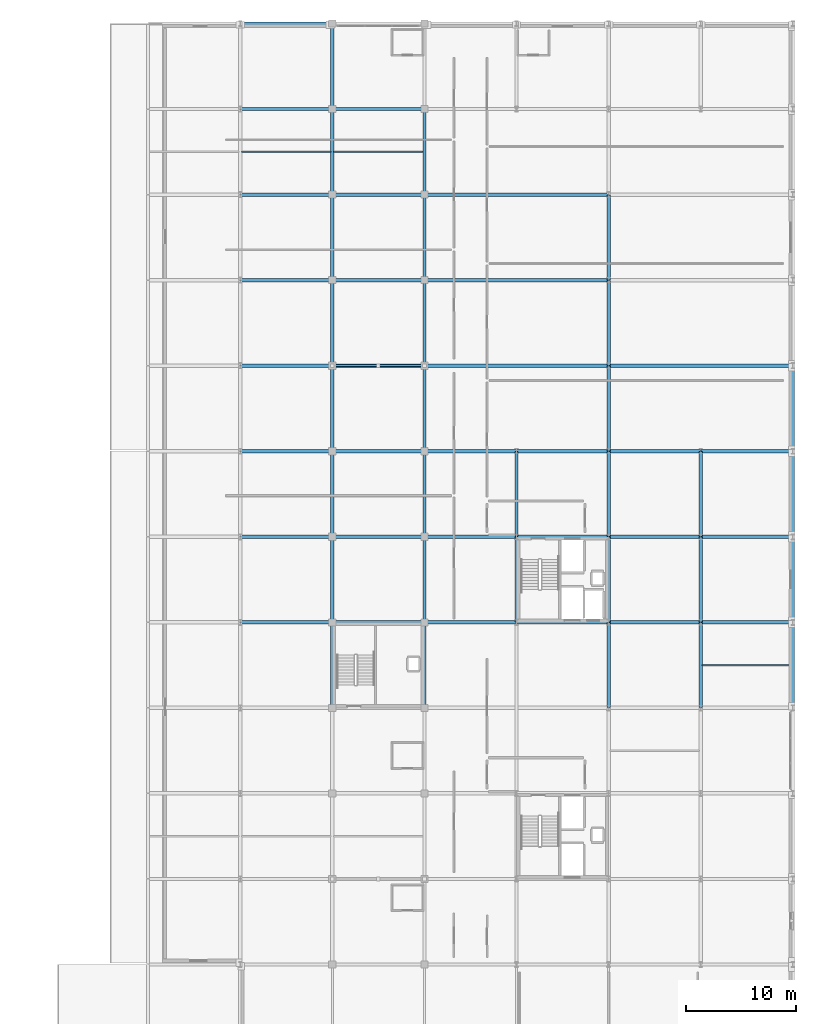
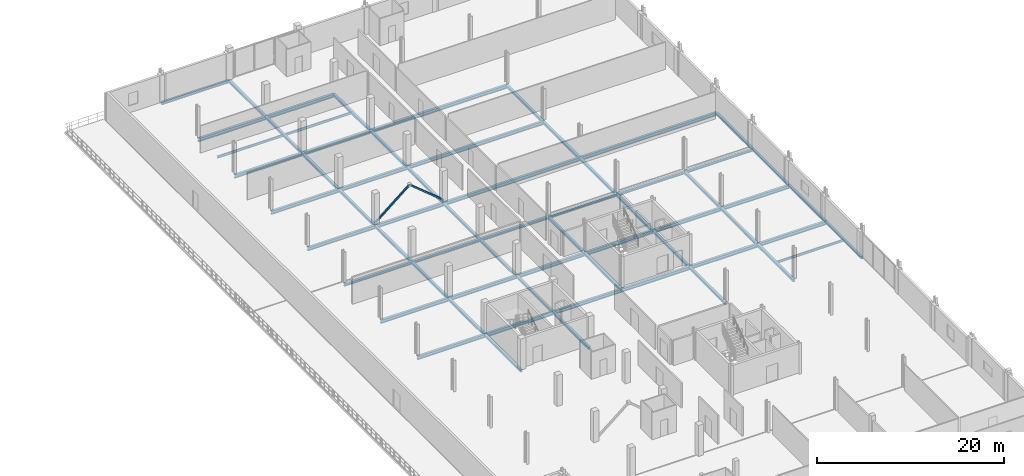
# One storey, part 15 of 41: 64 beams, 2 members.
"""IFC4 building model written with IfcOpenShell, lengths in metres."""

from ifc_helpers import new_model, si_unit, direction, frame, origin, origin_2d, place, context, subcontext, project, spatial, hollow_rectangle, i_section, extrude, material, material_profile, profile_set, type_object, element, save


model = new_model("IFC4")

# Units and contexts
model_context = context("Model", 3, precision=1e-05, world=origin(), true_north=direction((0.0, 1.0)))
body_context = subcontext(model_context, "Body", "Model", "MODEL_VIEW")
ifc_project = project(units=[si_unit("LENGTHUNIT", "METRE"), si_unit("AREAUNIT", "SQUARE_METRE"), si_unit("VOLUMEUNIT", "CUBIC_METRE"), si_unit("PLANEANGLEUNIT", "RADIAN"), si_unit("MASSUNIT", "GRAM", prefix="KILO")], contexts=[model_context])

# Site, building, storey
site_placement = place(None, origin())
site = spatial("IfcSite", under=ifc_project, at=site_placement, CompositionType="ELEMENT")
building_placement = place(site_placement, origin())
building = spatial("IfcBuilding", under=site, at=building_placement, Name="Nabrawat Pavilion Hospital", CompositionType="ELEMENT")
storey_placement = place(building_placement, frame((0.0, 0.0, 18.89990234375)))
storey = spatial("IfcBuildingStorey", under=building, at=storey_placement, Name="L04", CompositionType="ELEMENT", Elevation=18.89990234375)

# Beams
ifc_material = material(Name="Steel S355", Category="steel")
ifc_material_profile_1 = material_profile(ifc_material, i_section(OverallWidth=0.300048828125, OverallDepth=0.43994140625, WebThickness=0.011474609375, FlangeThickness=0.02099609375, FilletRadius=0.027099609375, at=origin_2d()), Name="HEA 450")
ifc_profile_set_1 = profile_set([ifc_material_profile_1], Name="Steel S355")
beam_type_1 = type_object("IfcBeamType", Name="Mid-Tier Ward Girder HEA 450", PredefinedType="USERDEFINED", material=ifc_profile_set_1)
beam_1_placement = place(storey_placement, frame((142.820068359375, 70.199951171875, -0.4599609375), z_axis=(1.0, 0.0, 0.0), x_axis=(0.0, 1.0, 0.0)))
element("IfcBeam", 1, at=beam_1_placement, inside=storey, type_object=beam_type_1, Name="L04 Primary X Girder 1813", ObjectType="GIRDER", PredefinedType="USERDEFINED", context=body_context, shape_type="SweptSolid", body=[
    extrude(i_section(OverallWidth=0.300048828125, OverallDepth=0.43994140625, WebThickness=0.011474609375, FlangeThickness=0.02099609375, FilletRadius=0.027099609375, at=origin_2d()), origin(), (0.0, 0.0, 1.0), 8.35986328125),
])
beam_2_placement = place(storey_placement, frame((151.219970703125, 70.199951171875, -0.4599609375), z_axis=(1.0, 0.0, 0.0), x_axis=(0.0, 1.0, 0.0)))
element("IfcBeam", 2, at=beam_2_placement, inside=storey, type_object=beam_type_1, Name="L04 Primary X Girder 1814", ObjectType="GIRDER", PredefinedType="USERDEFINED", context=body_context, shape_type="SweptSolid", body=[
    extrude(i_section(OverallWidth=0.300048828125, OverallDepth=0.43994140625, WebThickness=0.011474609375, FlangeThickness=0.02099609375, FilletRadius=0.027099609375, at=origin_2d()), origin(), (0.0, 0.0, 1.0), 8.360107421875),
])
for number, where, z_axis, x_axis, name in (
    (3, (159.6201171875, 70.199951171875, -0.4599609375), (1.0, 0.0, 0.0), (0.0, 1.0, 0.0), "L04 Primary X Girder 1815"),
    (4, (168.02001953125, 70.199951171875, -0.4599609375), (1.0, 0.0, 0.0), (0.0, 1.0, 0.0), "L04 Primary X Girder 1816"),
):
    element("IfcBeam", number, at=place(storey_placement, frame(where, z_axis=z_axis, x_axis=x_axis)), inside=storey, type_object=beam_type_1, Name=name, ObjectType="GIRDER", PredefinedType="USERDEFINED", context=body_context, shape_type="SweptSolid", body=[
        extrude(i_section(OverallWidth=0.300048828125, OverallDepth=0.43994140625, WebThickness=0.011474609375, FlangeThickness=0.02099609375, FilletRadius=0.027099609375, at=origin_2d()), origin(), (0.0, 0.0, 1.0), 8.35986328125),
    ])
beam_3_placement = place(storey_placement, frame((176.419921875, 70.199951171875, -0.4599609375), z_axis=(1.0, 0.0, 0.0), x_axis=(0.0, 1.0, 0.0)))
element("IfcBeam", 5, at=beam_3_placement, inside=storey, type_object=beam_type_1, Name="L04 Primary X Girder 1817", ObjectType="GIRDER", PredefinedType="USERDEFINED", context=body_context, shape_type="SweptSolid", body=[
    extrude(i_section(OverallWidth=0.300048828125, OverallDepth=0.43994140625, WebThickness=0.011474609375, FlangeThickness=0.02099609375, FilletRadius=0.027099609375, at=origin_2d()), origin(), (0.0, 0.0, 1.0), 8.360107421875),
])
for number, where, z_axis, x_axis, name in (
    (6, (184.820068359375, 70.199951171875, -0.4599609375), (1.0, 0.0, 0.0), (0.0, 1.0, 0.0), "L04 Primary X Girder 1818"),
    (7, (142.820068359375, 78.0, -0.4599609375), (1.0, 0.0, 0.0), (0.0, 1.0, 0.0), "L04 Primary X Girder 1820"),
):
    element("IfcBeam", number, at=place(storey_placement, frame(where, z_axis=z_axis, x_axis=x_axis)), inside=storey, type_object=beam_type_1, Name=name, ObjectType="GIRDER", PredefinedType="USERDEFINED", context=body_context, shape_type="SweptSolid", body=[
        extrude(i_section(OverallWidth=0.300048828125, OverallDepth=0.43994140625, WebThickness=0.011474609375, FlangeThickness=0.02099609375, FilletRadius=0.027099609375, at=origin_2d()), origin(), (0.0, 0.0, 1.0), 8.35986328125),
    ])
beam_4_placement = place(storey_placement, frame((151.219970703125, 78.0, -0.4599609375), z_axis=(1.0, 0.0, 0.0), x_axis=(0.0, 1.0, 0.0)))
element("IfcBeam", 8, at=beam_4_placement, inside=storey, type_object=beam_type_1, Name="L04 Primary X Girder 1821", ObjectType="GIRDER", PredefinedType="USERDEFINED", context=body_context, shape_type="SweptSolid", body=[
    extrude(i_section(OverallWidth=0.300048828125, OverallDepth=0.43994140625, WebThickness=0.011474609375, FlangeThickness=0.02099609375, FilletRadius=0.027099609375, at=origin_2d()), origin(), (0.0, 0.0, 1.0), 8.360107421875),
])
for number, where, z_axis, x_axis, name in (
    (9, (159.6201171875, 78.0, -0.4599609375), (1.0, 0.0, 0.0), (0.0, 1.0, 0.0), "L04 Primary X Girder 1822"),
    (10, (168.02001953125, 78.0, -0.4599609375), (1.0, 0.0, 0.0), (0.0, 1.0, 0.0), "L04 Primary X Girder 1823"),
):
    element("IfcBeam", number, at=place(storey_placement, frame(where, z_axis=z_axis, x_axis=x_axis)), inside=storey, type_object=beam_type_1, Name=name, ObjectType="GIRDER", PredefinedType="USERDEFINED", context=body_context, shape_type="SweptSolid", body=[
        extrude(i_section(OverallWidth=0.300048828125, OverallDepth=0.43994140625, WebThickness=0.011474609375, FlangeThickness=0.02099609375, FilletRadius=0.027099609375, at=origin_2d()), origin(), (0.0, 0.0, 1.0), 8.35986328125),
    ])
beam_5_placement = place(storey_placement, frame((176.419921875, 78.0, -0.4599609375), z_axis=(1.0, 0.0, 0.0), x_axis=(0.0, 1.0, 0.0)))
element("IfcBeam", 11, at=beam_5_placement, inside=storey, type_object=beam_type_1, Name="L04 Primary X Girder 1824", ObjectType="GIRDER", PredefinedType="USERDEFINED", context=body_context, shape_type="SweptSolid", body=[
    extrude(i_section(OverallWidth=0.300048828125, OverallDepth=0.43994140625, WebThickness=0.011474609375, FlangeThickness=0.02099609375, FilletRadius=0.027099609375, at=origin_2d()), origin(), (0.0, 0.0, 1.0), 8.360107421875),
])
for number, where, z_axis, x_axis, name in (
    (12, (184.820068359375, 78.0, -0.4599609375), (1.0, 0.0, 0.0), (0.0, 1.0, 0.0), "L04 Primary X Girder 1825"),
    (13, (142.820068359375, 93.60009765625, -0.4599609375), (1.0, 0.0, 0.0), (0.0, 1.0, 0.0), "L04 Primary X Girder 1834"),
):
    element("IfcBeam", number, at=place(storey_placement, frame(where, z_axis=z_axis, x_axis=x_axis)), inside=storey, type_object=beam_type_1, Name=name, ObjectType="GIRDER", PredefinedType="USERDEFINED", context=body_context, shape_type="SweptSolid", body=[
        extrude(i_section(OverallWidth=0.300048828125, OverallDepth=0.43994140625, WebThickness=0.011474609375, FlangeThickness=0.02099609375, FilletRadius=0.027099609375, at=origin_2d()), origin(), (0.0, 0.0, 1.0), 8.35986328125),
    ])
beam_6_placement = place(storey_placement, frame((151.219970703125, 93.60009765625, -0.4599609375), z_axis=(1.0, 0.0, 0.0), x_axis=(0.0, 1.0, 0.0)))
element("IfcBeam", 14, at=beam_6_placement, inside=storey, type_object=beam_type_1, Name="L04 Primary X Girder 1835", ObjectType="GIRDER", PredefinedType="USERDEFINED", context=body_context, shape_type="SweptSolid", body=[
    extrude(i_section(OverallWidth=0.300048828125, OverallDepth=0.43994140625, WebThickness=0.011474609375, FlangeThickness=0.02099609375, FilletRadius=0.027099609375, at=origin_2d()), origin(), (0.0, 0.0, 1.0), 8.360107421875),
])
beam_7_placement = place(storey_placement, frame((159.6201171875, 93.60009765625, -0.4599609375), z_axis=(1.0, 0.0, 0.0), x_axis=(0.0, 1.0, 0.0)))
element("IfcBeam", 15, at=beam_7_placement, inside=storey, type_object=beam_type_1, Name="L04 Primary X Girder 1836", ObjectType="GIRDER", PredefinedType="USERDEFINED", context=body_context, shape_type="SweptSolid", body=[
    extrude(i_section(OverallWidth=0.300048828125, OverallDepth=0.43994140625, WebThickness=0.011474609375, FlangeThickness=0.02099609375, FilletRadius=0.027099609375, at=origin_2d()), origin(), (0.0, 0.0, 1.0), 16.759765625),
])
beam_8_placement = place(storey_placement, frame((176.419921875, 93.60009765625, -0.4599609375), z_axis=(1.0, 0.0, 0.0), x_axis=(0.0, 1.0, 0.0)))
element("IfcBeam", 16, at=beam_8_placement, inside=storey, type_object=beam_type_1, Name="L04 Primary X Girder 1837", ObjectType="GIRDER", PredefinedType="USERDEFINED", context=body_context, shape_type="SweptSolid", body=[
    extrude(i_section(OverallWidth=0.300048828125, OverallDepth=0.43994140625, WebThickness=0.011474609375, FlangeThickness=0.02099609375, FilletRadius=0.027099609375, at=origin_2d()), origin(), (0.0, 0.0, 1.0), 16.760009765625),
])
beam_9_placement = place(storey_placement, frame((142.820068359375, 101.39990234375, -0.4599609375), z_axis=(1.0, 0.0, 0.0), x_axis=(0.0, 1.0, 0.0)))
element("IfcBeam", 17, at=beam_9_placement, inside=storey, type_object=beam_type_1, Name="L04 Primary X Girder 1839", ObjectType="GIRDER", PredefinedType="USERDEFINED", context=body_context, shape_type="SweptSolid", body=[
    extrude(i_section(OverallWidth=0.300048828125, OverallDepth=0.43994140625, WebThickness=0.011474609375, FlangeThickness=0.02099609375, FilletRadius=0.027099609375, at=origin_2d()), origin(), (0.0, 0.0, 1.0), 8.35986328125),
])
beam_10_placement = place(storey_placement, frame((151.219970703125, 101.39990234375, -0.4599609375), z_axis=(1.0, 0.0, 0.0), x_axis=(0.0, 1.0, 0.0)))
element("IfcBeam", 18, at=beam_10_placement, inside=storey, type_object=beam_type_1, Name="L04 Primary X Girder 1840", ObjectType="GIRDER", PredefinedType="USERDEFINED", context=body_context, shape_type="SweptSolid", body=[
    extrude(i_section(OverallWidth=0.300048828125, OverallDepth=0.43994140625, WebThickness=0.011474609375, FlangeThickness=0.02099609375, FilletRadius=0.027099609375, at=origin_2d()), origin(), (0.0, 0.0, 1.0), 8.360107421875),
])
beam_11_placement = place(storey_placement, frame((159.6201171875, 101.39990234375, -0.4599609375), z_axis=(1.0, 0.0, 0.0), x_axis=(0.0, 1.0, 0.0)))
element("IfcBeam", 19, at=beam_11_placement, inside=storey, type_object=beam_type_1, Name="L04 Primary X Girder 1841", ObjectType="GIRDER", PredefinedType="USERDEFINED", context=body_context, shape_type="SweptSolid", body=[
    extrude(i_section(OverallWidth=0.300048828125, OverallDepth=0.43994140625, WebThickness=0.011474609375, FlangeThickness=0.02099609375, FilletRadius=0.027099609375, at=origin_2d()), origin(), (0.0, 0.0, 1.0), 16.759765625),
])
beam_12_placement = place(storey_placement, frame((142.820068359375, 109.199951171875, -0.4599609375), z_axis=(1.0, 0.0, 0.0), x_axis=(0.0, 1.0, 0.0)))
element("IfcBeam", 20, at=beam_12_placement, inside=storey, type_object=beam_type_1, Name="L04 Primary X Girder 1844", ObjectType="GIRDER", PredefinedType="USERDEFINED", context=body_context, shape_type="SweptSolid", body=[
    extrude(i_section(OverallWidth=0.300048828125, OverallDepth=0.43994140625, WebThickness=0.011474609375, FlangeThickness=0.02099609375, FilletRadius=0.027099609375, at=origin_2d()), origin(), (0.0, 0.0, 1.0), 8.35986328125),
])
beam_13_placement = place(storey_placement, frame((151.219970703125, 109.199951171875, -0.4599609375), z_axis=(1.0, 0.0, 0.0), x_axis=(0.0, 1.0, 0.0)))
element("IfcBeam", 21, at=beam_13_placement, inside=storey, type_object=beam_type_1, Name="L04 Primary X Girder 1845", ObjectType="GIRDER", PredefinedType="USERDEFINED", context=body_context, shape_type="SweptSolid", body=[
    extrude(i_section(OverallWidth=0.300048828125, OverallDepth=0.43994140625, WebThickness=0.011474609375, FlangeThickness=0.02099609375, FilletRadius=0.027099609375, at=origin_2d()), origin(), (0.0, 0.0, 1.0), 8.360107421875),
])
beam_14_placement = place(storey_placement, frame((159.6201171875, 109.199951171875, -0.4599609375), z_axis=(1.0, 0.0, 0.0), x_axis=(0.0, 1.0, 0.0)))
element("IfcBeam", 22, at=beam_14_placement, inside=storey, type_object=beam_type_1, Name="L04 Primary X Girder 1846", ObjectType="GIRDER", PredefinedType="USERDEFINED", context=body_context, shape_type="SweptSolid", body=[
    extrude(i_section(OverallWidth=0.300048828125, OverallDepth=0.43994140625, WebThickness=0.011474609375, FlangeThickness=0.02099609375, FilletRadius=0.027099609375, at=origin_2d()), origin(), (0.0, 0.0, 1.0), 16.759765625),
])
beam_15_placement = place(storey_placement, frame((142.820068359375, 117.0, -0.4599609375), z_axis=(1.0, 0.0, 0.0), x_axis=(0.0, 1.0, 0.0)))
element("IfcBeam", 23, at=beam_15_placement, inside=storey, type_object=beam_type_1, Name="L04 Primary X Girder 1849", ObjectType="GIRDER", PredefinedType="USERDEFINED", context=body_context, shape_type="SweptSolid", body=[
    extrude(i_section(OverallWidth=0.300048828125, OverallDepth=0.43994140625, WebThickness=0.011474609375, FlangeThickness=0.02099609375, FilletRadius=0.027099609375, at=origin_2d()), origin(), (0.0, 0.0, 1.0), 8.35986328125),
])
beam_16_placement = place(storey_placement, frame((151.219970703125, 117.0, -0.4599609375), z_axis=(1.0, 0.0, 0.0), x_axis=(0.0, 1.0, 0.0)))
element("IfcBeam", 24, at=beam_16_placement, inside=storey, type_object=beam_type_1, Name="L04 Primary X Girder 1850", ObjectType="GIRDER", PredefinedType="USERDEFINED", context=body_context, shape_type="SweptSolid", body=[
    extrude(i_section(OverallWidth=0.300048828125, OverallDepth=0.43994140625, WebThickness=0.011474609375, FlangeThickness=0.02099609375, FilletRadius=0.027099609375, at=origin_2d()), origin(), (0.0, 0.0, 1.0), 8.360107421875),
])

# Members
ifc_material_profile_2 = material_profile(ifc_material, hollow_rectangle(XDim=0.179931640625, YDim=0.179931640625, WallThickness=0.010009765625, at=origin_2d()), Name="SHS 180x180x10")
ifc_profile_set_2 = profile_set([ifc_material_profile_2], Name="Steel S355")
member_type = type_object("IfcMemberType", Name="Upper Seismic Chevron Brace SHS 180x180x10", PredefinedType="BRACE", material=ifc_profile_set_2)
for number, where, z_axis, x_axis, name in (
    (25, (151.199951171875, 93.60009765625, 0.050048828125), (0.772727041362, 0.0, 0.63473846547), (0.0, 1.0, 0.0), "L04 Seismic Concentric Chevron Brace 075"),
    (26, (159.60009765625, 93.60009765625, 0.050048828125), (-0.772745137627, 0.0, 0.634716434539), (0.0, -1.0, 0.0), "L04 Seismic Concentric Chevron Brace 076"),
):
    element("IfcMember", number, at=place(storey_placement, frame(where, z_axis=z_axis, x_axis=x_axis)), inside=storey, type_object=member_type, Name=name, PredefinedType="BRACE", context=body_context, shape_type="SweptSolid", body=[
        extrude(hollow_rectangle(XDim=0.179931640625, YDim=0.179931640625, WallThickness=0.010009765625, at=origin_2d()), origin(), (0.0, 0.0, 1.0), 5.435302734375),
    ])

# Beams
ifc_material_profile_3 = material_profile(ifc_material, i_section(OverallWidth=0.280029296875, OverallDepth=0.280029296875, WebThickness=0.010498046875, FlangeThickness=0.01806640625, FilletRadius=0.02392578125, at=origin_2d()), Name="HEB 280")
ifc_profile_set_3 = profile_set([ifc_material_profile_3], Name="Steel S355")
beam_type_2 = type_object("IfcBeamType", Name="Upper Terrace Edge Spandrel HEB 280", PredefinedType="SPANDREL", material=ifc_profile_set_3)
for number, where, z_axis, x_axis, name in (
    (27, (193.199951171875, 62.419921875, -0.3798828125), (0.0, 1.0, 0.0), (-1.0, 0.0, 0.0), "L04 Primary Y Beam 1968"),
    (28, (193.199951171875, 70.219970703125, -0.3798828125), (0.0, 1.0, 0.0), (-1.0, 0.0, 0.0), "L04 Primary Y Beam 1969"),
    (29, (193.199951171875, 78.02001953125, -0.3798828125), (0.0, 1.0, 0.0), (-1.0, 0.0, 0.0), "L04 Primary Y Beam 1970"),
    (30, (193.199951171875, 85.820068359375, -0.3798828125), (0.0, 1.0, 0.0), (-1.0, 0.0, 0.0), "L04 Primary Y Beam 1971"),
):
    element("IfcBeam", number, at=place(storey_placement, frame(where, z_axis=z_axis, x_axis=x_axis)), inside=storey, type_object=beam_type_2, Name=name, PredefinedType="SPANDREL", context=body_context, shape_type="SweptSolid", body=[
        extrude(i_section(OverallWidth=0.280029296875, OverallDepth=0.280029296875, WebThickness=0.010498046875, FlangeThickness=0.01806640625, FilletRadius=0.02392578125, at=origin_2d()), origin(), (0.0, 0.0, 1.0), 7.760009765625),
    ])
ifc_material_profile_4 = material_profile(ifc_material, i_section(OverallWidth=0.300048828125, OverallDepth=0.340087890625, WebThickness=0.011962890625, FlangeThickness=0.021484375, FilletRadius=0.027099609375, at=origin_2d()), Name="HEB 340")
ifc_profile_set_4 = profile_set([ifc_material_profile_4], Name="Steel S355")
beam_type_3 = type_object("IfcBeamType", Name="Ward Perimeter Spandrel Beam HEB 340", PredefinedType="SPANDREL", material=ifc_profile_set_4)
beam_17_placement = place(storey_placement, frame((142.820068359375, 85.800048828125, -0.409912109375), z_axis=(1.0, 0.0, 0.0), x_axis=(0.0, 1.0, 0.0)))
element("IfcBeam", 31, at=beam_17_placement, inside=storey, type_object=beam_type_3, Name="L04 Primary X Girder 1827", PredefinedType="SPANDREL", context=body_context, shape_type="SweptSolid", body=[
    extrude(i_section(OverallWidth=0.300048828125, OverallDepth=0.340087890625, WebThickness=0.011962890625, FlangeThickness=0.021484375, FilletRadius=0.027099609375, at=origin_2d()), origin(), (0.0, 0.0, 1.0), 8.35986328125),
])
beam_18_placement = place(storey_placement, frame((151.219970703125, 85.800048828125, -0.409912109375), z_axis=(1.0, 0.0, 0.0), x_axis=(0.0, 1.0, 0.0)))
element("IfcBeam", 32, at=beam_18_placement, inside=storey, type_object=beam_type_3, Name="L04 Primary X Girder 1828", PredefinedType="SPANDREL", context=body_context, shape_type="SweptSolid", body=[
    extrude(i_section(OverallWidth=0.300048828125, OverallDepth=0.340087890625, WebThickness=0.011962890625, FlangeThickness=0.021484375, FilletRadius=0.027099609375, at=origin_2d()), origin(), (0.0, 0.0, 1.0), 8.360107421875),
])
for number, where, z_axis, x_axis, name in (
    (33, (159.6201171875, 85.800048828125, -0.409912109375), (1.0, 0.0, 0.0), (0.0, 1.0, 0.0), "L04 Primary X Girder 1829"),
    (34, (168.02001953125, 85.800048828125, -0.409912109375), (1.0, 0.0, 0.0), (0.0, 1.0, 0.0), "L04 Primary X Girder 1830"),
):
    element("IfcBeam", number, at=place(storey_placement, frame(where, z_axis=z_axis, x_axis=x_axis)), inside=storey, type_object=beam_type_3, Name=name, PredefinedType="SPANDREL", context=body_context, shape_type="SweptSolid", body=[
        extrude(i_section(OverallWidth=0.300048828125, OverallDepth=0.340087890625, WebThickness=0.011962890625, FlangeThickness=0.021484375, FilletRadius=0.027099609375, at=origin_2d()), origin(), (0.0, 0.0, 1.0), 8.35986328125),
    ])
beam_19_placement = place(storey_placement, frame((176.419921875, 85.800048828125, -0.409912109375), z_axis=(1.0, 0.0, 0.0), x_axis=(0.0, 1.0, 0.0)))
element("IfcBeam", 35, at=beam_19_placement, inside=storey, type_object=beam_type_3, Name="L04 Primary X Girder 1831", PredefinedType="SPANDREL", context=body_context, shape_type="SweptSolid", body=[
    extrude(i_section(OverallWidth=0.300048828125, OverallDepth=0.340087890625, WebThickness=0.011962890625, FlangeThickness=0.021484375, FilletRadius=0.027099609375, at=origin_2d()), origin(), (0.0, 0.0, 1.0), 8.360107421875),
])
for number, where, z_axis, x_axis, name in (
    (36, (184.820068359375, 85.800048828125, -0.409912109375), (1.0, 0.0, 0.0), (0.0, 1.0, 0.0), "L04 Primary X Girder 1832"),
    (37, (142.820068359375, 124.800048828125, -0.409912109375), (1.0, 0.0, 0.0), (0.0, 1.0, 0.0), "L04 Primary X Girder 1856"),
):
    element("IfcBeam", number, at=place(storey_placement, frame(where, z_axis=z_axis, x_axis=x_axis)), inside=storey, type_object=beam_type_3, Name=name, PredefinedType="SPANDREL", context=body_context, shape_type="SweptSolid", body=[
        extrude(i_section(OverallWidth=0.300048828125, OverallDepth=0.340087890625, WebThickness=0.011962890625, FlangeThickness=0.021484375, FilletRadius=0.027099609375, at=origin_2d()), origin(), (0.0, 0.0, 1.0), 8.35986328125),
    ])
ifc_material_profile_5 = material_profile(ifc_material, i_section(OverallWidth=0.14990234375, OverallDepth=0.300048828125, WebThickness=0.007080078125, FlangeThickness=0.0107421875, FilletRadius=0.014892578125, at=origin_2d()), Name="IPE 300")
ifc_profile_set_5 = profile_set([ifc_material_profile_5], Name="Steel S355")
beam_type_4 = type_object("IfcBeamType", Name="Ward Secondary Floor Joist IPE 300", PredefinedType="JOIST", material=ifc_profile_set_5)
beam_20_placement = place(storey_placement, frame((142.925048828125, 113.10009765625, -0.389892578125), z_axis=(1.0, 0.0, 0.0), x_axis=(0.0, 1.0, 0.0)))
element("IfcBeam", 38, at=beam_20_placement, inside=storey, type_object=beam_type_4, Name="L04 Secondary Composite Floor Joist 1979", PredefinedType="JOIST", context=body_context, shape_type="SweptSolid", body=[
    extrude(i_section(OverallWidth=0.14990234375, OverallDepth=0.300048828125, WebThickness=0.007080078125, FlangeThickness=0.0107421875, FilletRadius=0.014892578125, at=origin_2d()), origin(), (0.0, 0.0, 1.0), 8.14990234375),
])
beam_21_placement = place(storey_placement, frame((151.324951171875, 113.10009765625, -0.389892578125), z_axis=(1.0, 0.0, 0.0), x_axis=(0.0, 1.0, 0.0)))
element("IfcBeam", 39, at=beam_21_placement, inside=storey, type_object=beam_type_4, Name="L04 Secondary Composite Floor Joist 1981", PredefinedType="JOIST", context=body_context, shape_type="SweptSolid", body=[
    extrude(i_section(OverallWidth=0.14990234375, OverallDepth=0.300048828125, WebThickness=0.007080078125, FlangeThickness=0.0107421875, FilletRadius=0.014892578125, at=origin_2d()), origin(), (0.0, 0.0, 1.0), 8.150146484375),
])
beam_22_placement = place(storey_placement, frame((184.925048828125, 66.300048828125, -0.389892578125), z_axis=(1.0, 0.0, 0.0), x_axis=(0.0, 1.0, 0.0)))
element("IfcBeam", 40, at=beam_22_placement, inside=storey, type_object=beam_type_4, Name="L04 Secondary Composite Floor Joist 1984", PredefinedType="JOIST", context=body_context, shape_type="SweptSolid", body=[
    extrude(i_section(OverallWidth=0.14990234375, OverallDepth=0.300048828125, WebThickness=0.007080078125, FlangeThickness=0.0107421875, FilletRadius=0.014892578125, at=origin_2d()), origin(), (0.0, 0.0, 1.0), 8.159912109375),
])
ifc_material_profile_6 = material_profile(ifc_material, i_section(OverallWidth=0.300048828125, OverallDepth=0.31005859375, WebThickness=0.009033203125, FlangeThickness=0.015380859375, FilletRadius=0.027099609375, at=origin_2d()), Name="HEA 320")
ifc_profile_set_6 = profile_set([ifc_material_profile_6], Name="Steel S355")
beam_type_5 = type_object("IfcBeamType", Name="Ward Spine Beam HEA 320", PredefinedType="BEAM", material=ifc_profile_set_6)
for number, where, z_axis, x_axis, name in (
    (41, (151.199951171875, 62.419921875, -0.39501953125), (0.0, 1.0, 0.0), (-1.0, 0.0, 0.0), "L04 Primary Y Beam 1903"),
    (42, (151.199951171875, 70.219970703125, -0.39501953125), (0.0, 1.0, 0.0), (-1.0, 0.0, 0.0), "L04 Primary Y Beam 1904"),
    (43, (151.199951171875, 78.02001953125, -0.39501953125), (0.0, 1.0, 0.0), (-1.0, 0.0, 0.0), "L04 Primary Y Beam 1905"),
    (44, (151.199951171875, 85.820068359375, -0.39501953125), (0.0, 1.0, 0.0), (-1.0, 0.0, 0.0), "L04 Primary Y Beam 1906"),
):
    element("IfcBeam", number, at=place(storey_placement, frame(where, z_axis=z_axis, x_axis=x_axis)), inside=storey, type_object=beam_type_5, Name=name, PredefinedType="BEAM", context=body_context, shape_type="SweptSolid", body=[
        extrude(i_section(OverallWidth=0.300048828125, OverallDepth=0.31005859375, WebThickness=0.009033203125, FlangeThickness=0.015380859375, FilletRadius=0.027099609375, at=origin_2d()), origin(), (0.0, 0.0, 1.0), 7.760009765625),
    ])
beam_23_placement = place(storey_placement, frame((151.199951171875, 93.6201171875, -0.39501953125), z_axis=(0.0, 1.0, 0.0), x_axis=(-1.0, 0.0, 0.0)))
element("IfcBeam", 45, at=beam_23_placement, inside=storey, type_object=beam_type_5, Name="L04 Primary Y Beam 1907", PredefinedType="BEAM", context=body_context, shape_type="SweptSolid", body=[
    extrude(i_section(OverallWidth=0.300048828125, OverallDepth=0.31005859375, WebThickness=0.009033203125, FlangeThickness=0.015380859375, FilletRadius=0.027099609375, at=origin_2d()), origin(), (0.0, 0.0, 1.0), 7.759765625),
])
for number, where, z_axis, x_axis, name in (
    (46, (151.199951171875, 101.419921875, -0.39501953125), (0.0, 1.0, 0.0), (-1.0, 0.0, 0.0), "L04 Primary Y Beam 1908"),
    (47, (151.199951171875, 109.219970703125, -0.39501953125), (0.0, 1.0, 0.0), (-1.0, 0.0, 0.0), "L04 Primary Y Beam 1909"),
    (48, (151.199951171875, 117.02001953125, -0.39501953125), (0.0, 1.0, 0.0), (-1.0, 0.0, 0.0), "L04 Primary Y Beam 1910"),
    (49, (159.60009765625, 62.419921875, -0.39501953125), (0.0, 1.0, 0.0), (-1.0, 0.0, 0.0), "L04 Primary Y Beam 1919"),
    (50, (159.60009765625, 70.219970703125, -0.39501953125), (0.0, 1.0, 0.0), (-1.0, 0.0, 0.0), "L04 Primary Y Beam 1920"),
    (51, (159.60009765625, 78.02001953125, -0.39501953125), (0.0, 1.0, 0.0), (-1.0, 0.0, 0.0), "L04 Primary Y Beam 1921"),
    (52, (159.60009765625, 85.820068359375, -0.39501953125), (0.0, 1.0, 0.0), (-1.0, 0.0, 0.0), "L04 Primary Y Beam 1922"),
):
    element("IfcBeam", number, at=place(storey_placement, frame(where, z_axis=z_axis, x_axis=x_axis)), inside=storey, type_object=beam_type_5, Name=name, PredefinedType="BEAM", context=body_context, shape_type="SweptSolid", body=[
        extrude(i_section(OverallWidth=0.300048828125, OverallDepth=0.31005859375, WebThickness=0.009033203125, FlangeThickness=0.015380859375, FilletRadius=0.027099609375, at=origin_2d()), origin(), (0.0, 0.0, 1.0), 7.760009765625),
    ])
beam_24_placement = place(storey_placement, frame((159.60009765625, 93.6201171875, -0.39501953125), z_axis=(0.0, 1.0, 0.0), x_axis=(-1.0, 0.0, 0.0)))
element("IfcBeam", 53, at=beam_24_placement, inside=storey, type_object=beam_type_5, Name="L04 Primary Y Beam 1923", PredefinedType="BEAM", context=body_context, shape_type="SweptSolid", body=[
    extrude(i_section(OverallWidth=0.300048828125, OverallDepth=0.31005859375, WebThickness=0.009033203125, FlangeThickness=0.015380859375, FilletRadius=0.027099609375, at=origin_2d()), origin(), (0.0, 0.0, 1.0), 7.759765625),
])
for number, where, z_axis, x_axis, name in (
    (54, (159.60009765625, 101.419921875, -0.39501953125), (0.0, 1.0, 0.0), (-1.0, 0.0, 0.0), "L04 Primary Y Beam 1924"),
    (55, (159.60009765625, 109.219970703125, -0.39501953125), (0.0, 1.0, 0.0), (-1.0, 0.0, 0.0), "L04 Primary Y Beam 1925"),
    (56, (168.0, 70.219970703125, -0.39501953125), (0.0, 1.0, 0.0), (-1.0, 0.0, 0.0), "L04 Primary Y Beam 1933"),
    (57, (168.0, 78.02001953125, -0.39501953125), (0.0, 1.0, 0.0), (-1.0, 0.0, 0.0), "L04 Primary Y Beam 1934"),
    (58, (176.39990234375, 62.419921875, -0.39501953125), (0.0, 1.0, 0.0), (-1.0, 0.0, 0.0), "L04 Primary Y Beam 1944"),
    (59, (176.39990234375, 70.219970703125, -0.39501953125), (0.0, 1.0, 0.0), (-1.0, 0.0, 0.0), "L04 Primary Y Beam 1945"),
    (60, (176.39990234375, 78.02001953125, -0.39501953125), (0.0, 1.0, 0.0), (-1.0, 0.0, 0.0), "L04 Primary Y Beam 1946"),
    (61, (176.39990234375, 85.820068359375, -0.39501953125), (0.0, 1.0, 0.0), (-1.0, 0.0, 0.0), "L04 Primary Y Beam 1947"),
):
    element("IfcBeam", number, at=place(storey_placement, frame(where, z_axis=z_axis, x_axis=x_axis)), inside=storey, type_object=beam_type_5, Name=name, PredefinedType="BEAM", context=body_context, shape_type="SweptSolid", body=[
        extrude(i_section(OverallWidth=0.300048828125, OverallDepth=0.31005859375, WebThickness=0.009033203125, FlangeThickness=0.015380859375, FilletRadius=0.027099609375, at=origin_2d()), origin(), (0.0, 0.0, 1.0), 7.760009765625),
    ])
beam_25_placement = place(storey_placement, frame((176.39990234375, 93.6201171875, -0.39501953125), z_axis=(0.0, 1.0, 0.0), x_axis=(-1.0, 0.0, 0.0)))
element("IfcBeam", 62, at=beam_25_placement, inside=storey, type_object=beam_type_5, Name="L04 Primary Y Beam 1948", PredefinedType="BEAM", context=body_context, shape_type="SweptSolid", body=[
    extrude(i_section(OverallWidth=0.300048828125, OverallDepth=0.31005859375, WebThickness=0.009033203125, FlangeThickness=0.015380859375, FilletRadius=0.027099609375, at=origin_2d()), origin(), (0.0, 0.0, 1.0), 7.759765625),
])
for number, where, z_axis, x_axis, name in (
    (63, (176.39990234375, 101.419921875, -0.39501953125), (0.0, 1.0, 0.0), (-1.0, 0.0, 0.0), "L04 Primary Y Beam 1949"),
    (64, (184.800048828125, 62.419921875, -0.39501953125), (0.0, 1.0, 0.0), (-1.0, 0.0, 0.0), "L04 Primary Y Beam 1956"),
    (65, (184.800048828125, 70.219970703125, -0.39501953125), (0.0, 1.0, 0.0), (-1.0, 0.0, 0.0), "L04 Primary Y Beam 1957"),
    (66, (184.800048828125, 78.02001953125, -0.39501953125), (0.0, 1.0, 0.0), (-1.0, 0.0, 0.0), "L04 Primary Y Beam 1958"),
):
    element("IfcBeam", number, at=place(storey_placement, frame(where, z_axis=z_axis, x_axis=x_axis)), inside=storey, type_object=beam_type_5, Name=name, PredefinedType="BEAM", context=body_context, shape_type="SweptSolid", body=[
        extrude(i_section(OverallWidth=0.300048828125, OverallDepth=0.31005859375, WebThickness=0.009033203125, FlangeThickness=0.015380859375, FilletRadius=0.027099609375, at=origin_2d()), origin(), (0.0, 0.0, 1.0), 7.760009765625),
    ])

save(model, "model.ifc")
